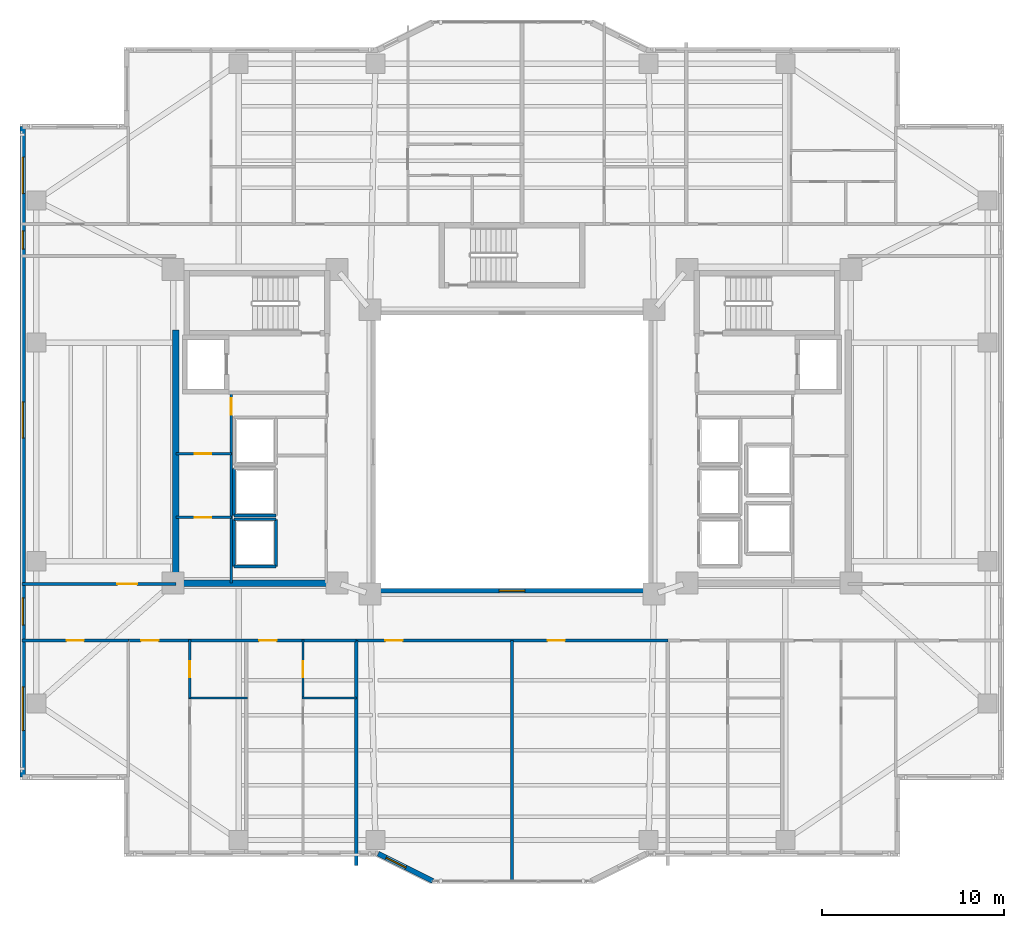
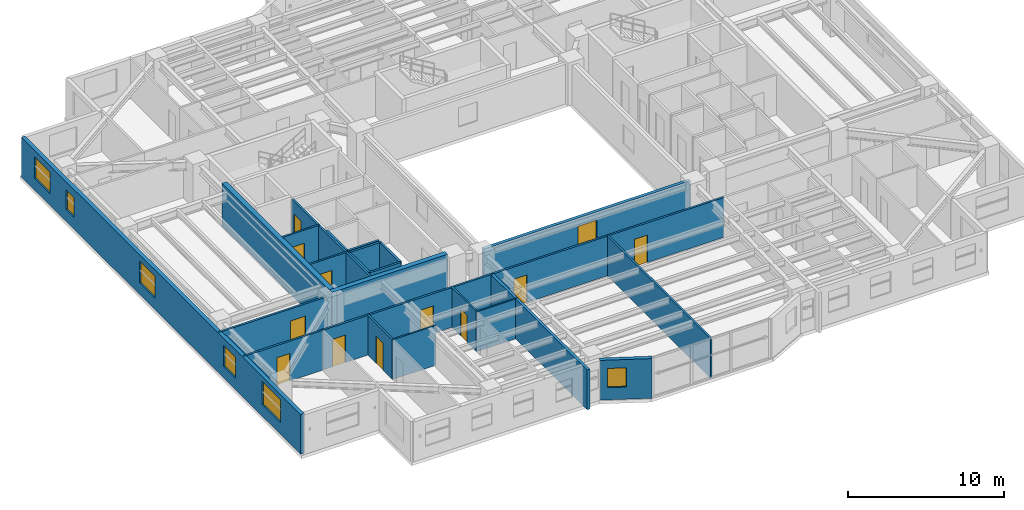
# One storey, part 6 of 18: 24 walls, 11 doors, 7 windows, 18 openings.
"""IFC4 building model written with IfcOpenShell, lengths in metres."""

from ifc_helpers import new_model, si_unit, direction, frame, frame_2d, origin, place, context, subcontext, project, spatial, rectangle, extrude, material, layer, layer_set, type_object, element, fill, save


model = new_model("IFC4")

# Units and contexts
model_context = context("Model", 3, precision=1e-05, world=origin(), true_north=direction((0.0, 1.0)))
body_context = subcontext(model_context, "Body", "Model", "MODEL_VIEW")
ifc_project = project(units=[si_unit("LENGTHUNIT", "METRE"), si_unit("AREAUNIT", "SQUARE_METRE"), si_unit("VOLUMEUNIT", "CUBIC_METRE"), si_unit("PLANEANGLEUNIT", "RADIAN"), si_unit("MASSUNIT", "GRAM", prefix="KILO")], contexts=[model_context])

# Site, building, storey
site_placement = place(None, origin())
site = spatial("IfcSite", under=ifc_project, at=site_placement, CompositionType="ELEMENT")
building_placement = place(site_placement, origin())
building = spatial("IfcBuilding", under=site, at=building_placement, Name="Tarnavaz Court Tower", CompositionType="ELEMENT")
storey_placement = place(building_placement, frame((0.0, 0.0, 101.75)))
storey = spatial("IfcBuildingStorey", under=building, at=storey_placement, Name="L27", CompositionType="ELEMENT", Elevation=101.75)

# Walls
ifc_material_1 = material(Name="Concrete C60/75", Category="concrete")
ifc_layer_1 = layer(ifc_material_1, 0.35009765625)
ifc_layer_set_1 = layer_set([ifc_layer_1], Name="Concrete C60/75")
wall_type_1 = type_object("IfcWallType", Name="WL-CORE-350-C60", PredefinedType="SHEAR", material=ifc_layer_set_1)
wall_1_placement = place(storey_placement, frame((-18.449951171875, -7.375, 0.0), z_axis=(0.0, 0.0, 1.0), x_axis=(0.0, 1.0, 0.0)))
element("IfcWall", 1, at=wall_1_placement, inside=storey, type_object=wall_type_1, Name="L27 West Core Shear Wall 057", PredefinedType="SHEAR", context=body_context, shape_type="SweptSolid", body=[
    extrude(rectangle(XDim=14.050048828125, YDim=0.35009765625, at=frame_2d((7.02490234375, 0.0))), origin(), (0.0, 0.0, 1.0), 3.35009765625),
])
wall_2_placement = place(storey_placement, frame((-18.625, -7.199951171875, 0.0), z_axis=(0.0, 0.0, 1.0), x_axis=(1.0, 0.0, 0.0)))
element("IfcWall", 2, at=wall_2_placement, inside=storey, type_object=wall_type_1, Name="L27 West Core South Shear Wall 058", PredefinedType="SHEAR", context=body_context, shape_type="SweptSolid", body=[
    extrude(rectangle(XDim=8.550048828125, YDim=0.35009765625, at=frame_2d((4.27490234375, 0.0))), origin(), (0.0, 0.0, 1.0), 3.35009765625),
])

# Wall, openings, windows
ifc_material_2 = material(Name="Precast Concrete C40/50", Category="concrete")
ifc_layer_2 = layer(ifc_material_2, 0.280029296875)
ifc_layer_set_2 = layer_set([ifc_layer_2], Name="Precast Concrete C40/50")
wall_type_2 = type_object("IfcWallType", Name="WL-EXT-280", PredefinedType="SOLIDWALL", material=ifc_layer_set_2)
wall_3_placement = place(storey_placement, frame((-26.85009765625, -17.85009765625, 0.0), z_axis=(0.0, 0.0, 1.0), x_axis=(0.0, 1.0, 0.0)))
wall_3 = element("IfcWall", 3, at=wall_3_placement, inside=storey, type_object=wall_type_2, Name="L27 Exterior Terracotta Facade Wall 02", PredefinedType="SOLIDWALL", context=body_context, shape_type="SweptSolid", body=[
    extrude(rectangle(XDim=35.7001953125, YDim=0.280029296875, at=frame_2d((17.85009765625, 0.0))), origin(), (0.0, 0.0, 1.0), 3.10009765625),
])
opening_1_placement = place(wall_3_placement, frame((2.550048828125, 0.0, 0.89990234375)))
opening_1 = element("IfcOpeningElement", 4, at=opening_1_placement, cuts=wall_3, Name="Opening W06", PredefinedType="OPENING", context=body_context, shape_type="SweptSolid", body=[
    extrude(rectangle(XDim=2.39990234375, YDim=1.800048828125, at=frame_2d((1.199951171875, 0.89990234375))), frame((0.0, 0.14990234375, 0.0), z_axis=(0.0, -1.0, 0.0), x_axis=(1.0, 0.0, 0.0)), (0.0, 0.0, 1.0), 0.300048828125),
])
opening_2_placement = place(wall_3_placement, frame((8.342529296875, 0.0, 0.89990234375)))
opening_2 = element("IfcOpeningElement", 5, at=opening_2_placement, cuts=wall_3, Name="Opening W03", PredefinedType="OPENING", context=body_context, shape_type="SweptSolid", body=[
    extrude(rectangle(XDim=1.5, YDim=1.64990234375, at=frame_2d((0.75, 0.824951171875))), frame((0.0, 0.14990234375, 0.0), z_axis=(0.0, -1.0, 0.0), x_axis=(1.0, 0.0, 0.0)), (0.0, 0.0, 1.0), 0.300048828125),
])
opening_3_placement = place(wall_3_placement, frame((18.60009765625, 0.0, 0.89990234375)))
opening_3 = element("IfcOpeningElement", 6, at=opening_3_placement, cuts=wall_3, Name="Opening W08", PredefinedType="OPENING", context=body_context, shape_type="SweptSolid", body=[
    extrude(rectangle(XDim=2.0, YDim=1.699951171875, at=frame_2d((1.0, 0.85009765625))), frame((0.0, 0.14990234375, 0.0), z_axis=(0.0, -1.0, 0.0), x_axis=(1.0, 0.0, 0.0)), (0.0, 0.0, 1.0), 0.300048828125),
])
opening_4_placement = place(wall_3_placement, frame((28.97509765625, 0.0, 0.949951171875)))
opening_4 = element("IfcOpeningElement", 7, at=opening_4_placement, cuts=wall_3, Name="Opening W14", PredefinedType="OPENING", context=body_context, shape_type="SweptSolid", body=[
    extrude(rectangle(XDim=1.0, YDim=1.5, at=frame_2d((0.5, 0.75))), frame((0.0, 0.14990234375, 0.0), z_axis=(0.0, -1.0, 0.0), x_axis=(1.0, 0.0, 0.0)), (0.0, 0.0, 1.0), 0.300048828125),
])
opening_5_placement = place(wall_3_placement, frame((32.02490234375, 0.0, 0.89990234375)))
opening_5 = element("IfcOpeningElement", 8, at=opening_5_placement, cuts=wall_3, Name="Opening W08", PredefinedType="OPENING", context=body_context, shape_type="SweptSolid", body=[
    extrude(rectangle(XDim=2.0, YDim=1.699951171875, at=frame_2d((1.0, 0.85009765625))), frame((0.0, 0.14990234375, 0.0), z_axis=(0.0, -1.0, 0.0), x_axis=(1.0, 0.0, 0.0)), (0.0, 0.0, 1.0), 0.300048828125),
])
ifc_material_3 = material(Name="Double-Glazed Solar Low-E Glass", Category="glass")
window_type_1 = type_object("IfcWindowType", Name="WN-APT-1000", PartitioningType="SINGLE_PANEL", PredefinedType="WINDOW", material=ifc_material_3)
window_1_placement = place(opening_4_placement, origin())
window_1 = element("IfcWindow", 9, at=window_1_placement, inside=storey, type_object=window_type_1, Name="L27 North-West Corner Corridor Window", OverallHeight=1.5, OverallWidth=1.0, PartitioningType="SINGLE_PANEL", PredefinedType="WINDOW", context=body_context, shape_type="SweptSolid", body=[
    extrude(rectangle(XDim=1.0, YDim=1.5, at=frame_2d((0.5, 0.75))), frame((0.0, 0.030029296875, 0.0), z_axis=(0.0, -1.0, 0.0), x_axis=(1.0, 0.0, 0.0)), (0.0, 0.0, 1.0), 0.06005859375),
])
fill(opening_4, window_1)
window_type_2 = type_object("IfcWindowType", Name="WN-APT-1500", PartitioningType="DOUBLE_PANEL_VERTICAL", PredefinedType="WINDOW", material=ifc_material_3)
window_2_placement = place(opening_2_placement, origin())
window_2 = element("IfcWindow", 10, at=window_2_placement, inside=storey, type_object=window_type_2, Name="L27 South-West Corner Corridor Window", OverallHeight=1.64990234375, OverallWidth=1.5, PartitioningType="SINGLE_PANEL", PredefinedType="WINDOW", context=body_context, shape_type="SweptSolid", body=[
    extrude(rectangle(XDim=1.5, YDim=1.64990234375, at=frame_2d((0.75, 0.824951171875))), frame((0.0, 0.030029296875, 0.0), z_axis=(0.0, -1.0, 0.0), x_axis=(1.0, 0.0, 0.0)), (0.0, 0.0, 1.0), 0.06005859375),
])
fill(opening_2, window_2)
window_type_3 = type_object("IfcWindowType", Name="WN-APT-2000", PartitioningType="DOUBLE_PANEL_VERTICAL", PredefinedType="WINDOW", material=ifc_material_3)
window_3_placement = place(opening_3_placement, origin())
window_3 = element("IfcWindow", 11, at=window_3_placement, inside=storey, type_object=window_type_3, Name="L27 West Wing Community Meeting Lounge Window", OverallHeight=1.699951171875, OverallWidth=2.0, PartitioningType="SINGLE_PANEL", PredefinedType="WINDOW", context=body_context, shape_type="SweptSolid", body=[
    extrude(rectangle(XDim=2.0, YDim=1.699951171875, at=frame_2d((1.0, 0.85009765625))), frame((0.0, 0.030029296875, 0.0), z_axis=(0.0, -1.0, 0.0), x_axis=(1.0, 0.0, 0.0)), (0.0, 0.0, 1.0), 0.06005859375),
])
fill(opening_3, window_3)
window_4_placement = place(opening_5_placement, origin())
window_4 = element("IfcWindow", 12, at=window_4_placement, inside=storey, type_object=window_type_3, Name="L27 North-West Corner Sunroom Study Window", OverallHeight=1.699951171875, OverallWidth=2.0, PartitioningType="SINGLE_PANEL", PredefinedType="WINDOW", context=body_context, shape_type="SweptSolid", body=[
    extrude(rectangle(XDim=2.0, YDim=1.699951171875, at=frame_2d((1.0, 0.85009765625))), frame((0.0, 0.030029296875, 0.0), z_axis=(0.0, -1.0, 0.0), x_axis=(1.0, 0.0, 0.0)), (0.0, 0.0, 1.0), 0.06005859375),
])
fill(opening_5, window_4)
window_type_4 = type_object("IfcWindowType", Name="WN-APT-2400", PartitioningType="TRIPLE_PANEL_VERTICAL", PredefinedType="WINDOW", material=ifc_material_3)
window_5_placement = place(opening_1_placement, origin())
window_5 = element("IfcWindow", 13, at=window_5_placement, inside=storey, type_object=window_type_4, Name="L27 South-West Corner Reading Room Window", OverallHeight=1.800048828125, OverallWidth=2.39990234375, PartitioningType="SINGLE_PANEL", PredefinedType="WINDOW", context=body_context, shape_type="SweptSolid", body=[
    extrude(rectangle(XDim=2.39990234375, YDim=1.800048828125, at=frame_2d((1.199951171875, 0.89990234375))), frame((0.0, 0.030029296875, 0.0), z_axis=(0.0, -1.0, 0.0), x_axis=(1.0, 0.0, 0.0)), (0.0, 0.0, 1.0), 0.06005859375),
])
fill(opening_1, window_5)

# Wall, opening, window
wall_4_placement = place(storey_placement, frame((-4.35009765625, -23.550048828125, 0.0), z_axis=(0.0, 0.0, 1.0), x_axis=(-0.894427191, 0.4472135955, 0.0)))
wall_4 = element("IfcWall", 14, at=wall_4_placement, inside=storey, type_object=wall_type_2, Name="L27 Exterior Terracotta Facade Wall 18", PredefinedType="SOLIDWALL", context=body_context, shape_type="SweptSolid", body=[
    extrude(rectangle(XDim=3.35400390625, YDim=0.280029296875, at=frame_2d((1.677001953125, 0.0))), origin(), (0.0, 0.0, 1.0), 3.10009765625),
])
opening_6_placement = place(wall_4_placement, frame((1.65283203125, 0.0, 0.949951171875)))
opening_6 = element("IfcOpeningElement", 15, at=opening_6_placement, cuts=wall_4, Name="Opening W05", PredefinedType="OPENING", context=body_context, shape_type="SweptSolid", body=[
    extrude(rectangle(XDim=1.199951171875, YDim=1.5, at=frame_2d((0.60009765625, 0.75))), frame((0.0, 0.14990234375, 0.0), z_axis=(0.0, -1.0, 0.0), x_axis=(1.0, 0.0, 0.0)), (0.0, 0.0, 1.0), 0.300048828125),
])
window_type_5 = type_object("IfcWindowType", Name="WN-APT-1200", PartitioningType="SINGLE_PANEL", PredefinedType="WINDOW", material=ifc_material_3)
window_6_placement = place(opening_6_placement, origin())
window_6 = element("IfcWindow", 16, at=window_6_placement, inside=storey, type_object=window_type_5, Name="L27 South Courtyard Majlis Lounge Window", OverallHeight=1.5, OverallWidth=1.199951171875, PartitioningType="SINGLE_PANEL", PredefinedType="WINDOW", context=body_context, shape_type="SweptSolid", body=[
    extrude(rectangle(XDim=1.199951171875, YDim=1.5, at=frame_2d((0.60009765625, 0.75))), frame((0.0, 0.030029296875, 0.0), z_axis=(0.0, -1.0, 0.0), x_axis=(1.0, 0.0, 0.0)), (0.0, 0.0, 1.0), 0.06005859375),
])
fill(opening_6, window_6)

# Wall, openings, doors
ifc_material_4 = material(Name="Gypsum Fire-Board on Acoustic Metal Stud", Category="masonry")
ifc_layer_3 = layer(ifc_material_4, 0.14990234375)
ifc_layer_set_3 = layer_set([ifc_layer_3], Name="Gypsum Fire-Board on Acoustic Metal Stud")
wall_type_3 = type_object("IfcWallType", Name="WL-FIRE-150", PredefinedType="PARTITIONING", material=ifc_layer_set_3)
wall_5_placement = place(storey_placement, frame((-21.050048828125, -10.35009765625, 0.0), z_axis=(0.0, 0.0, 1.0), x_axis=(1.0, 0.0, 0.0)))
wall_5 = element("IfcWall", 17, at=wall_5_placement, inside=storey, type_object=wall_type_3, Name="L27 SW Horseshoe Wall 074", PredefinedType="PARTITIONING", context=body_context, shape_type="SweptSolid", body=[
    extrude(rectangle(XDim=12.5, YDim=0.14990234375, at=frame_2d((6.25, 0.0))), origin(), (0.0, 0.0, 1.0), 3.10009765625),
])
opening_7_placement = place(wall_5_placement, frame((0.699951171875, 0.0, 0.0)))
opening_7 = element("IfcOpeningElement", 18, at=opening_7_placement, cuts=wall_5, Name="Opening D06", PredefinedType="OPENING", context=body_context, shape_type="SweptSolid", body=[
    extrude(rectangle(XDim=0.9599609375, YDim=2.14990234375, at=frame_2d((0.47998046875, 1.074951171875))), frame((0.0, 0.0849609375, 0.0), z_axis=(0.0, -1.0, 0.0), x_axis=(1.0, 0.0, 0.0)), (0.0, 0.0, 1.0), 0.169921875),
])
opening_8_placement = place(wall_5_placement, frame((7.174072265625, 0.0, 0.0)))
opening_8 = element("IfcOpeningElement", 19, at=opening_8_placement, cuts=wall_5, Name="Opening D06", PredefinedType="OPENING", context=body_context, shape_type="SweptSolid", body=[
    extrude(rectangle(XDim=0.9599609375, YDim=2.14990234375, at=frame_2d((0.47998046875, 1.074951171875))), frame((0.0, 0.0849609375, 0.0), z_axis=(0.0, -1.0, 0.0), x_axis=(1.0, 0.0, 0.0)), (0.0, 0.0, 1.0), 0.169921875),
])
ifc_material_5 = material(Name="Fire-Rated Hardwood Timber Core", Category="wood")
door_type_1 = type_object("IfcDoorType", Name="DR-FD60-950", OperationType="NOTDEFINED", PredefinedType="DOOR", material=ifc_material_5)
door_1_placement = place(opening_7_placement, origin())
door_1 = element("IfcDoor", 20, at=door_1_placement, inside=storey, type_object=door_type_1, Name="L27 Flat 05 Entrance Door", OperationType="SINGLE_SWING_RIGHT", OverallHeight=2.14990234375, OverallWidth=0.9599609375, PredefinedType="DOOR", context=body_context, shape_type="SweptSolid", body=[
    extrude(rectangle(XDim=0.9599609375, YDim=2.14990234375, at=frame_2d((0.47998046875, 1.074951171875))), frame((0.0, 0.02490234375, 0.0), z_axis=(0.0, -1.0, 0.0), x_axis=(1.0, 0.0, 0.0)), (0.0, 0.0, 1.0), 0.050048828125),
])
fill(opening_7, door_1)
door_2_placement = place(opening_8_placement, origin())
door_2 = element("IfcDoor", 21, at=door_2_placement, inside=storey, type_object=door_type_1, Name="L27 Flat 06 Entrance Door", OperationType="SINGLE_SWING_LEFT", OverallHeight=2.14990234375, OverallWidth=0.9599609375, PredefinedType="DOOR", context=body_context, shape_type="SweptSolid", body=[
    extrude(rectangle(XDim=0.9599609375, YDim=2.14990234375, at=frame_2d((0.47998046875, 1.074951171875))), frame((0.0, 0.02490234375, 0.0), z_axis=(0.0, -1.0, 0.0), x_axis=(1.0, 0.0, 0.0)), (0.0, 0.0, 1.0), 0.050048828125),
])
fill(opening_8, door_2)

wall_6_placement = place(storey_placement, frame((-8.550048828125, -10.35009765625, 0.0), z_axis=(0.0, 0.0, 1.0), x_axis=(1.0, 0.0, 0.0)))
wall_6 = element("IfcWall", 22, at=wall_6_placement, inside=storey, type_object=wall_type_3, Name="L27 Interior Partition 111", PredefinedType="PARTITIONING", context=body_context, shape_type="SweptSolid", body=[
    extrude(rectangle(XDim=17.10009765625, YDim=0.14990234375, at=frame_2d((8.550048828125, 0.0))), origin(), (0.0, 0.0, 1.0), 3.10009765625),
])
opening_9_placement = place(wall_6_placement, frame((1.60009765625, 0.0, 0.0)))
opening_9 = element("IfcOpeningElement", 23, at=opening_9_placement, cuts=wall_6, Name="Opening D13", PredefinedType="OPENING", context=body_context, shape_type="SweptSolid", body=[
    extrude(rectangle(XDim=0.949951171875, YDim=2.14990234375, at=frame_2d((0.47509765625, 1.074951171875))), frame((0.0, 0.0849609375, 0.0), z_axis=(0.0, -1.0, 0.0), x_axis=(1.0, 0.0, 0.0)), (0.0, 0.0, 1.0), 0.169921875),
])
opening_10_placement = place(wall_6_placement, frame((10.5, 0.0, 0.0)))
opening_10 = element("IfcOpeningElement", 24, at=opening_10_placement, cuts=wall_6, Name="Opening D13", PredefinedType="OPENING", context=body_context, shape_type="SweptSolid", body=[
    extrude(rectangle(XDim=0.949951171875, YDim=2.14990234375, at=frame_2d((0.47509765625, 1.074951171875))), frame((0.0, 0.0849609375, 0.0), z_axis=(0.0, -1.0, 0.0), x_axis=(1.0, 0.0, 0.0)), (0.0, 0.0, 1.0), 0.169921875),
])
ifc_material_6 = material(Name="Engineered Oak Timber", Category="wood")
door_type_2 = type_object("IfcDoorType", Name="DR-INT-950", OperationType="NOTDEFINED", PredefinedType="DOOR", material=ifc_material_6)
door_3_placement = place(opening_9_placement, origin())
door_3 = element("IfcDoor", 25, at=door_3_placement, inside=storey, type_object=door_type_2, Name="L27 South Majlis Lounge Door", OperationType="SINGLE_SWING_RIGHT", OverallHeight=2.14990234375, OverallWidth=0.949951171875, PredefinedType="DOOR", context=body_context, shape_type="SweptSolid", body=[
    extrude(rectangle(XDim=0.949951171875, YDim=2.14990234375, at=frame_2d((0.47509765625, 1.074951171875))), frame((0.0, 0.02490234375, 0.0), z_axis=(0.0, -1.0, 0.0), x_axis=(1.0, 0.0, 0.0)), (0.0, 0.0, 1.0), 0.050048828125),
])
fill(opening_9, door_3)
door_4_placement = place(opening_10_placement, origin())
door_4 = element("IfcDoor", 26, at=door_4_placement, inside=storey, type_object=door_type_2, Name="L27 South Reading Room Door", OperationType="SINGLE_SWING_LEFT", OverallHeight=2.14990234375, OverallWidth=0.949951171875, PredefinedType="DOOR", context=body_context, shape_type="SweptSolid", body=[
    extrude(rectangle(XDim=0.949951171875, YDim=2.14990234375, at=frame_2d((0.47509765625, 1.074951171875))), frame((0.0, 0.02490234375, 0.0), z_axis=(0.0, -1.0, 0.0), x_axis=(1.0, 0.0, 0.0)), (0.0, 0.0, 1.0), 0.050048828125),
])
fill(opening_10, door_4)

# Wall, opening, door
wall_7_placement = place(storey_placement, frame((-26.8798828125, -7.25, 0.0), z_axis=(0.0, 0.0, 1.0), x_axis=(1.0, 0.0, 0.0)))
wall_7 = element("IfcWall", 27, at=wall_7_placement, inside=storey, type_object=wall_type_3, Name="L27 Interior Partition 113", PredefinedType="PARTITIONING", context=body_context, shape_type="SweptSolid", body=[
    extrude(rectangle(XDim=8.429931640625, YDim=0.14990234375, at=frame_2d((4.21484375, 0.0))), origin(), (0.0, 0.0, 1.0), 3.10009765625),
])
opening_11_placement = place(wall_7_placement, frame((5.22998046875, 0.0, 0.0)))
opening_11 = element("IfcOpeningElement", 28, at=opening_11_placement, cuts=wall_7, Name="Opening D12", PredefinedType="OPENING", context=body_context, shape_type="SweptSolid", body=[
    extrude(rectangle(XDim=1.080078125, YDim=2.14990234375, at=frame_2d((0.5400390625, 1.074951171875))), frame((0.0, 0.0849609375, 0.0), z_axis=(0.0, -1.0, 0.0), x_axis=(1.0, 0.0, 0.0)), (0.0, 0.0, 1.0), 0.169921875),
])
door_type_3 = type_object("IfcDoorType", Name="DR-INT-1100", OperationType="NOTDEFINED", PredefinedType="DOOR", material=ifc_material_6)
door_5_placement = place(opening_11_placement, origin())
door_5 = element("IfcDoor", 29, at=door_5_placement, inside=storey, type_object=door_type_3, Name="L27 West Meeting Lounge Door", OperationType="SINGLE_SWING_RIGHT", OverallHeight=2.14990234375, OverallWidth=1.080078125, PredefinedType="DOOR", context=body_context, shape_type="SweptSolid", body=[
    extrude(rectangle(XDim=1.080078125, YDim=2.14990234375, at=frame_2d((0.5400390625, 1.074951171875))), frame((0.0, 0.02490234375, 0.0), z_axis=(0.0, -1.0, 0.0), x_axis=(1.0, 0.0, 0.0)), (0.0, 0.0, 1.0), 0.050048828125),
])
fill(opening_11, door_5)

wall_8_placement = place(storey_placement, frame((-26.8798828125, -10.35009765625, 0.0), z_axis=(0.0, 0.0, 1.0), x_axis=(1.0, 0.0, 0.0)))
wall_8 = element("IfcWall", 30, at=wall_8_placement, inside=storey, type_object=wall_type_3, Name="L27 Interior Partition 123", PredefinedType="PARTITIONING", context=body_context, shape_type="SweptSolid", body=[
    extrude(rectangle(XDim=5.829833984375, YDim=0.14990234375, at=frame_2d((2.9150390625, 0.0))), origin(), (0.0, 0.0, 1.0), 3.10009765625),
])
opening_12_placement = place(wall_8_placement, frame((2.43994140625, 0.0, 0.0)))
opening_12 = element("IfcOpeningElement", 31, at=opening_12_placement, cuts=wall_8, Name="Opening D13", PredefinedType="OPENING", context=body_context, shape_type="SweptSolid", body=[
    extrude(rectangle(XDim=0.949951171875, YDim=2.14990234375, at=frame_2d((0.47509765625, 1.074951171875))), frame((0.0, 0.0849609375, 0.0), z_axis=(0.0, -1.0, 0.0), x_axis=(1.0, 0.0, 0.0)), (0.0, 0.0, 1.0), 0.169921875),
])
door_6_placement = place(opening_12_placement, origin())
door_6 = element("IfcDoor", 32, at=door_6_placement, inside=storey, type_object=door_type_2, Name="L27 SW Reading Room Door", OperationType="SINGLE_SWING_RIGHT", OverallHeight=2.14990234375, OverallWidth=0.949951171875, PredefinedType="DOOR", context=body_context, shape_type="SweptSolid", body=[
    extrude(rectangle(XDim=0.949951171875, YDim=2.14990234375, at=frame_2d((0.47509765625, 1.074951171875))), frame((0.0, 0.02490234375, 0.0), z_axis=(0.0, -1.0, 0.0), x_axis=(1.0, 0.0, 0.0)), (0.0, 0.0, 1.0), 0.050048828125),
])
fill(opening_12, door_6)

# Wall
ifc_material_7 = material(Name="Autoclaved Aerated Concrete Blockwork", Category="masonry")
ifc_layer_4 = layer(ifc_material_7, 0.199951171875)
ifc_layer_set_4 = layer_set([ifc_layer_4], Name="Autoclaved Aerated Concrete Blockwork")
wall_type_4 = type_object("IfcWallType", Name="WL-FIRE-200", PredefinedType="SOLIDWALL", material=ifc_layer_set_4)
wall_9_placement = place(storey_placement, frame((-8.550048828125, -22.7041015625, 0.0), z_axis=(0.0, 0.0, 1.0), x_axis=(0.0, 1.0, 0.0)))
element("IfcWall", 33, at=wall_9_placement, inside=storey, type_object=wall_type_4, Name="L27 Party Wall 109", PredefinedType="SOLIDWALL", context=body_context, shape_type="SweptSolid", body=[
    extrude(rectangle(XDim=12.35400390625, YDim=0.199951171875, at=frame_2d((6.177001953125, 0.0))), origin(), (0.0, 0.0, 1.0), 3.10009765625),
])

# Wall, opening, door
ifc_material_8 = material(Name="Moisture-Resistant Gypsum Board Partition", Category="masonry")
ifc_layer_5 = layer(ifc_material_8, 0.1201171875)
ifc_layer_set_5 = layer_set([ifc_layer_5], Name="Moisture-Resistant Gypsum Board Partition")
wall_type_5 = type_object("IfcWallType", Name="WL-PART-120", PredefinedType="PARTITIONING", material=ifc_layer_set_5)
wall_10_placement = place(storey_placement, frame((-17.68603515625, -13.510009765625, 0.0), z_axis=(0.0, 0.0, 1.0), x_axis=(0.0, 1.0, 0.0)))
wall_10 = element("IfcWall", 34, at=wall_10_placement, inside=storey, type_object=wall_type_5, Name="L27 Interior Partition 097", PredefinedType="PARTITIONING", context=body_context, shape_type="SweptSolid", body=[
    extrude(rectangle(XDim=3.219970703125, YDim=0.1201171875, at=frame_2d((1.60986328125, 0.0))), origin(), (0.0, 0.0, 1.0), 3.10009765625),
])
opening_13_placement = place(wall_10_placement, frame((1.139892578125, 0.0, 0.0)))
opening_13 = element("IfcOpeningElement", 35, at=opening_13_placement, cuts=wall_10, Name="Opening D14", PredefinedType="OPENING", context=body_context, shape_type="SweptSolid", body=[
    extrude(rectangle(XDim=0.8798828125, YDim=2.10009765625, at=frame_2d((0.43994140625, 1.050048828125))), frame((0.0, 0.070068359375, 0.0), z_axis=(0.0, -1.0, 0.0), x_axis=(1.0, 0.0, 0.0)), (0.0, 0.0, 1.0), 0.14013671875),
])
door_type_4 = type_object("IfcDoorType", Name="DR-INT-900", OperationType="NOTDEFINED", PredefinedType="DOOR", material=ifc_material_6)
door_7_placement = place(opening_13_placement, origin())
door_7 = element("IfcDoor", 36, at=door_7_placement, inside=storey, type_object=door_type_4, Name="L27 Flat 05 Bathroom Door", OperationType="SINGLE_SWING_RIGHT", OverallHeight=2.10009765625, OverallWidth=0.8798828125, PredefinedType="DOOR", context=body_context, shape_type="SweptSolid", body=[
    extrude(rectangle(XDim=0.8798828125, YDim=2.10009765625, at=frame_2d((0.43994140625, 1.050048828125))), frame((0.0, 0.02490234375, 0.0), z_axis=(0.0, -1.0, 0.0), x_axis=(1.0, 0.0, 0.0)), (0.0, 0.0, 1.0), 0.050048828125),
])
fill(opening_13, door_7)

# Wall
wall_11_placement = place(storey_placement, frame((-17.74609375, -13.510009765625, 0.0), z_axis=(0.0, 0.0, 1.0), x_axis=(1.0, 0.0, 0.0)))
element("IfcWall", 37, at=wall_11_placement, inside=storey, type_object=wall_type_5, Name="L27 Interior Partition 098", PredefinedType="PARTITIONING", context=body_context, shape_type="SweptSolid", body=[
    extrude(rectangle(XDim=3.22998046875, YDim=0.1201171875, at=frame_2d((1.614990234375, 0.0))), origin(), (0.0, 0.0, 1.0), 3.10009765625),
])

# Wall, opening, door
wall_12_placement = place(storey_placement, frame((-11.470947265625, -13.510009765625, 0.0), z_axis=(0.0, 0.0, 1.0), x_axis=(0.0, 1.0, 0.0)))
wall_12 = element("IfcWall", 38, at=wall_12_placement, inside=storey, type_object=wall_type_5, Name="L27 Interior Partition 100", PredefinedType="PARTITIONING", context=body_context, shape_type="SweptSolid", body=[
    extrude(rectangle(XDim=3.219970703125, YDim=0.1201171875, at=frame_2d((1.60986328125, 0.0))), origin(), (0.0, 0.0, 1.0), 3.10009765625),
])
opening_14_placement = place(wall_12_placement, frame((1.139892578125, 0.0, 0.0)))
opening_14 = element("IfcOpeningElement", 39, at=opening_14_placement, cuts=wall_12, Name="Opening D14", PredefinedType="OPENING", context=body_context, shape_type="SweptSolid", body=[
    extrude(rectangle(XDim=0.8798828125, YDim=2.10009765625, at=frame_2d((0.43994140625, 1.050048828125))), frame((0.0, 0.070068359375, 0.0), z_axis=(0.0, -1.0, 0.0), x_axis=(1.0, 0.0, 0.0)), (0.0, 0.0, 1.0), 0.14013671875),
])
door_8_placement = place(opening_14_placement, origin())
door_8 = element("IfcDoor", 40, at=door_8_placement, inside=storey, type_object=door_type_4, Name="L27 Flat 06 Bathroom Door", OperationType="SINGLE_SWING_LEFT", OverallHeight=2.10009765625, OverallWidth=0.8798828125, PredefinedType="DOOR", context=body_context, shape_type="SweptSolid", body=[
    extrude(rectangle(XDim=0.8798828125, YDim=2.10009765625, at=frame_2d((0.43994140625, 1.050048828125))), frame((0.0, 0.02490234375, 0.0), z_axis=(0.0, -1.0, 0.0), x_axis=(1.0, 0.0, 0.0)), (0.0, 0.0, 1.0), 0.050048828125),
])
fill(opening_14, door_8)

# Wall
wall_13_placement = place(storey_placement, frame((-11.531005859375, -13.510009765625, 0.0), z_axis=(0.0, 0.0, 1.0), x_axis=(1.0, 0.0, 0.0)))
element("IfcWall", 41, at=wall_13_placement, inside=storey, type_object=wall_type_5, Name="L27 Interior Partition 101", PredefinedType="PARTITIONING", context=body_context, shape_type="SweptSolid", body=[
    extrude(rectangle(XDim=2.990966796875, YDim=0.1201171875, at=frame_2d((1.49560546875, 0.0))), origin(), (0.0, 0.0, 1.0), 3.10009765625),
])

# Wall, opening, door
ifc_material_9 = material(Name="Gypsum Plasterboard Acoustic Partition", Category="masonry")
ifc_layer_6 = layer(ifc_material_9, 0.139892578125)
ifc_layer_set_6 = layer_set([ifc_layer_6], Name="Gypsum Plasterboard Acoustic Partition")
wall_type_6 = type_object("IfcWallType", Name="WL-PART-150", PredefinedType="PARTITIONING", material=ifc_layer_set_6)
wall_14_placement = place(storey_placement, frame((-15.39990234375, -7.199951171875, 0.0), z_axis=(0.0, 0.0, 1.0), x_axis=(0.0, 1.0, 0.0)))
wall_14 = element("IfcWall", 42, at=wall_14_placement, inside=storey, type_object=wall_type_6, Name="L27 Interior Partition 063", PredefinedType="PARTITIONING", context=body_context, shape_type="SweptSolid", body=[
    extrude(rectangle(XDim=10.449951171875, YDim=0.139892578125, at=frame_2d((5.22509765625, 0.0))), origin(), (0.0, 0.0, 1.0), 3.10009765625),
])
opening_15_placement = place(wall_14_placement, frame((9.25, 0.0, 0.0)))
opening_15 = element("IfcOpeningElement", 43, at=opening_15_placement, cuts=wall_14, Name="Opening D09", PredefinedType="OPENING", context=body_context, shape_type="SweptSolid", body=[
    extrude(rectangle(XDim=0.89990234375, YDim=2.080078125, at=frame_2d((0.449951171875, 1.0400390625))), frame((0.0, 0.079833984375, 0.0), z_axis=(0.0, -1.0, 0.0), x_axis=(1.0, 0.0, 0.0)), (0.0, 0.0, 1.0), 0.159912109375),
])
door_type_5 = type_object("IfcDoorType", Name="DR-FD30-900", OperationType="NOTDEFINED", PredefinedType="DOOR", material=ifc_material_5)
door_9_placement = place(opening_15_placement, origin())
door_9 = element("IfcDoor", 44, at=door_9_placement, inside=storey, type_object=door_type_5, Name="L27 West ICT Comms Door", OperationType="SINGLE_SWING_RIGHT", OverallHeight=2.080078125, OverallWidth=0.89990234375, PredefinedType="DOOR", context=body_context, shape_type="SweptSolid", body=[
    extrude(rectangle(XDim=0.89990234375, YDim=2.080078125, at=frame_2d((0.449951171875, 1.0400390625))), frame((0.0, 0.02490234375, 0.0), z_axis=(0.0, -1.0, 0.0), x_axis=(1.0, 0.0, 0.0)), (0.0, 0.0, 1.0), 0.050048828125),
])
fill(opening_15, door_9)

wall_15_placement = place(storey_placement, frame((-18.449951171875, -3.60009765625, 0.0), z_axis=(0.0, 0.0, 1.0), x_axis=(1.0, 0.0, 0.0)))
wall_15 = element("IfcWall", 45, at=wall_15_placement, inside=storey, type_object=wall_type_6, Name="L27 Interior Partition 064", PredefinedType="PARTITIONING", context=body_context, shape_type="SweptSolid", body=[
    extrude(rectangle(XDim=3.050048828125, YDim=0.139892578125, at=frame_2d((1.52490234375, 0.0))), origin(), (0.0, 0.0, 1.0), 3.10009765625),
])
opening_16_placement = place(wall_15_placement, frame((1.050048828125, 0.0, 0.0)))
opening_16 = element("IfcOpeningElement", 46, at=opening_16_placement, cuts=wall_15, Name="Opening D09", PredefinedType="OPENING", context=body_context, shape_type="SweptSolid", body=[
    extrude(rectangle(XDim=0.89990234375, YDim=2.080078125, at=frame_2d((0.449951171875, 1.0400390625))), frame((0.0, 0.079833984375, 0.0), z_axis=(0.0, -1.0, 0.0), x_axis=(1.0, 0.0, 0.0)), (0.0, 0.0, 1.0), 0.159912109375),
])
door_10_placement = place(opening_16_placement, origin())
door_10 = element("IfcDoor", 47, at=door_10_placement, inside=storey, type_object=door_type_5, Name="L27 West Electrical Closet Door", OperationType="SINGLE_SWING_RIGHT", OverallHeight=2.080078125, OverallWidth=0.89990234375, PredefinedType="DOOR", context=body_context, shape_type="SweptSolid", body=[
    extrude(rectangle(XDim=0.89990234375, YDim=2.080078125, at=frame_2d((0.449951171875, 1.0400390625))), frame((0.0, 0.02490234375, 0.0), z_axis=(0.0, -1.0, 0.0), x_axis=(1.0, 0.0, 0.0)), (0.0, 0.0, 1.0), 0.050048828125),
])
fill(opening_16, door_10)

wall_16_placement = place(storey_placement, frame((-18.449951171875, -0.10009765625, 0.0), z_axis=(0.0, 0.0, 1.0), x_axis=(1.0, 0.0, 0.0)))
wall_16 = element("IfcWall", 48, at=wall_16_placement, inside=storey, type_object=wall_type_6, Name="L27 Interior Partition 065", PredefinedType="PARTITIONING", context=body_context, shape_type="SweptSolid", body=[
    extrude(rectangle(XDim=3.050048828125, YDim=0.139892578125, at=frame_2d((1.52490234375, 0.0))), origin(), (0.0, 0.0, 1.0), 3.10009765625),
])
opening_17_placement = place(wall_16_placement, frame((1.050048828125, 0.0, 0.0)))
opening_17 = element("IfcOpeningElement", 49, at=opening_17_placement, cuts=wall_16, Name="Opening D09", PredefinedType="OPENING", context=body_context, shape_type="SweptSolid", body=[
    extrude(rectangle(XDim=0.89990234375, YDim=2.080078125, at=frame_2d((0.449951171875, 1.0400390625))), frame((0.0, 0.079833984375, 0.0), z_axis=(0.0, -1.0, 0.0), x_axis=(1.0, 0.0, 0.0)), (0.0, 0.0, 1.0), 0.159912109375),
])
door_11_placement = place(opening_17_placement, origin())
door_11 = element("IfcDoor", 50, at=door_11_placement, inside=storey, type_object=door_type_5, Name="L27 West Chilled-Water Riser Door", OperationType="SINGLE_SWING_LEFT", OverallHeight=2.080078125, OverallWidth=0.89990234375, PredefinedType="DOOR", context=body_context, shape_type="SweptSolid", body=[
    extrude(rectangle(XDim=0.89990234375, YDim=2.080078125, at=frame_2d((0.449951171875, 1.0400390625))), frame((0.0, 0.02490234375, 0.0), z_axis=(0.0, -1.0, 0.0), x_axis=(1.0, 0.0, 0.0)), (0.0, 0.0, 1.0), 0.050048828125),
])
fill(opening_17, door_11)

# Walls
wall_17_placement = place(storey_placement, frame((0.0, -23.580078125, 0.0), z_axis=(0.0, 0.0, 1.0), x_axis=(0.0, 1.0, 0.0)))
element("IfcWall", 51, at=wall_17_placement, inside=storey, type_object=wall_type_6, Name="L27 Interior Partition 112", PredefinedType="PARTITIONING", context=body_context, shape_type="SweptSolid", body=[
    extrude(rectangle(XDim=13.22998046875, YDim=0.139892578125, at=frame_2d((6.614990234375, 0.0))), origin(), (0.0, 0.0, 1.0), 3.10009765625),
])
ifc_layer_7 = layer(ifc_material_7, 0.159912109375)
ifc_layer_set_7 = layer_set([ifc_layer_7], Name="Autoclaved Aerated Concrete Blockwork")
wall_type_7 = type_object("IfcWallType", Name="WL-SHAFT-150", PredefinedType="SOLIDWALL", material=ifc_layer_set_7)
for number, where, z_axis, x_axis, name in (
    (52, (-15.25, -6.300048828125, 0.0), (0.0, 0.0, 1.0), (0.0, 1.0, 0.0), "L27 Lift PL-H1 Shaft Wall 021"),
    (53, (-12.949951171875, -6.300048828125, 0.0), (0.0, 0.0, 1.0), (0.0, 1.0, 0.0), "L27 Lift PL-H1 Shaft Wall 022"),
):
    element("IfcWall", number, at=place(storey_placement, frame(where, z_axis=z_axis, x_axis=x_axis)), inside=storey, type_object=wall_type_7, Name=name, PredefinedType="SOLIDWALL", context=body_context, shape_type="SweptSolid", body=[
        extrude(rectangle(XDim=2.60009765625, YDim=0.159912109375, at=frame_2d((1.300048828125, 0.0))), origin(), (0.0, 0.0, 1.0), 3.10009765625),
    ])
for number, where, z_axis, x_axis, name in (
    (54, (-15.25, -6.300048828125, 0.0), (0.0, 0.0, 1.0), (1.0, 0.0, 0.0), "L27 Lift PL-H1 Shaft Wall 023"),
    (55, (-15.25, -3.699951171875, 0.0), (0.0, 0.0, 1.0), (1.0, 0.0, 0.0), "L27 Lift PL-H1 Shaft Wall 024"),
):
    element("IfcWall", number, at=place(storey_placement, frame(where, z_axis=z_axis, x_axis=x_axis)), inside=storey, type_object=wall_type_7, Name=name, PredefinedType="SOLIDWALL", context=body_context, shape_type="SweptSolid", body=[
        extrude(rectangle(XDim=2.300048828125, YDim=0.159912109375, at=frame_2d((1.14990234375, 0.0))), origin(), (0.0, 0.0, 1.0), 3.10009765625),
    ])
wall_18_placement = place(storey_placement, frame((-15.25, -3.5, 0.0), z_axis=(0.0, 0.0, 1.0), x_axis=(0.0, 1.0, 0.0)))
element("IfcWall", 56, at=wall_18_placement, inside=storey, type_object=wall_type_7, Name="L27 Lift PL-H2 Shaft Wall 025", PredefinedType="SOLIDWALL", context=body_context, shape_type="SweptSolid", body=[
    extrude(rectangle(XDim=2.60009765625, YDim=0.159912109375, at=frame_2d((1.300048828125, 0.0))), origin(), (0.0, 0.0, 1.0), 3.10009765625),
])
wall_19_placement = place(storey_placement, frame((-15.25, -3.5, 0.0), z_axis=(0.0, 0.0, 1.0), x_axis=(1.0, 0.0, 0.0)))
element("IfcWall", 57, at=wall_19_placement, inside=storey, type_object=wall_type_7, Name="L27 Lift PL-H2 Shaft Wall 027", PredefinedType="SOLIDWALL", context=body_context, shape_type="SweptSolid", body=[
    extrude(rectangle(XDim=2.300048828125, YDim=0.159912109375, at=frame_2d((1.14990234375, 0.0))), origin(), (0.0, 0.0, 1.0), 3.10009765625),
])

# Wall, opening, window
ifc_layer_8 = layer(ifc_material_2, 0.239990234375)
ifc_layer_set_8 = layer_set([ifc_layer_8], Name="Precast Concrete C40/50")
wall_type_8 = type_object("IfcWallType", Name="WL-WELL-240", PredefinedType="SOLIDWALL", material=ifc_layer_set_8)
wall_20_placement = place(storey_placement, frame((-7.6201171875, -7.6201171875, 0.0), z_axis=(0.0, 0.0, 1.0), x_axis=(1.0, 0.0, 0.0)))
wall_20 = element("IfcWall", 58, at=wall_20_placement, inside=storey, type_object=wall_type_8, Name="L27 Badgir Light-Well Exterior Wall S", PredefinedType="SOLIDWALL", context=body_context, shape_type="SweptSolid", body=[
    extrude(rectangle(XDim=15.240234375, YDim=0.239990234375, at=frame_2d((7.6201171875, 0.0))), origin(), (0.0, 0.0, 1.0), 3.10009765625),
])
opening_18_placement = place(wall_20_placement, frame((6.919921875, 0.0, 0.949951171875)))
opening_18 = element("IfcOpeningElement", 59, at=opening_18_placement, cuts=wall_20, Name="Opening W13", PredefinedType="OPENING", context=body_context, shape_type="SweptSolid", body=[
    extrude(rectangle(XDim=1.39990234375, YDim=1.5, at=frame_2d((0.699951171875, 0.75))), frame((0.0, 0.1298828125, 0.0), z_axis=(0.0, -1.0, 0.0), x_axis=(1.0, 0.0, 0.0)), (0.0, 0.0, 1.0), 0.260009765625),
])
window_type_6 = type_object("IfcWindowType", Name="WN-WEL-1400", PartitioningType="SINGLE_PANEL", PredefinedType="WINDOW", material=ifc_material_3)
window_7_placement = place(opening_18_placement, origin())
window_7 = element("IfcWindow", 60, at=window_7_placement, inside=storey, type_object=window_type_6, Name="L27 Courtyard Gallery Window S", OverallHeight=1.5, OverallWidth=1.39990234375, PartitioningType="SINGLE_PANEL", PredefinedType="WINDOW", context=body_context, shape_type="SweptSolid", body=[
    extrude(rectangle(XDim=1.39990234375, YDim=1.5, at=frame_2d((0.699951171875, 0.75))), frame((0.0, 0.030029296875, 0.0), z_axis=(0.0, -1.0, 0.0), x_axis=(1.0, 0.0, 0.0)), (0.0, 0.0, 1.0), 0.06005859375),
])
fill(opening_18, window_7)

save(model, "model.ifc")
